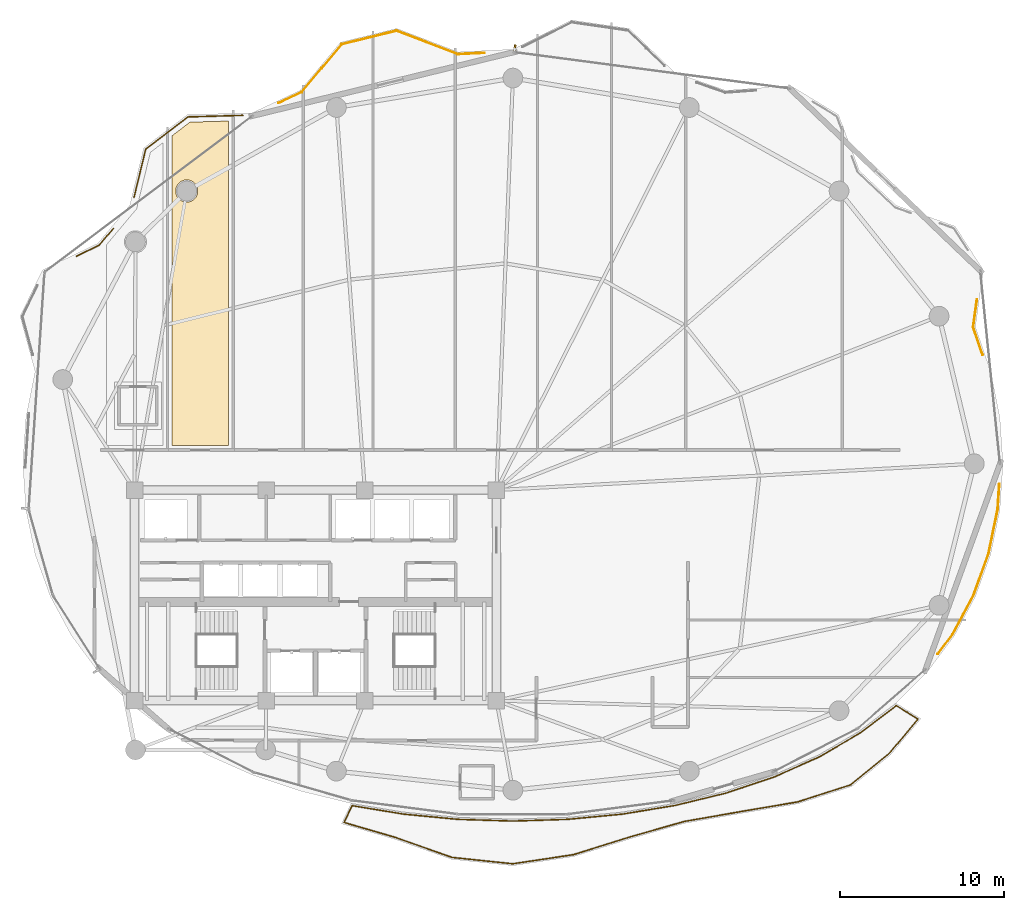
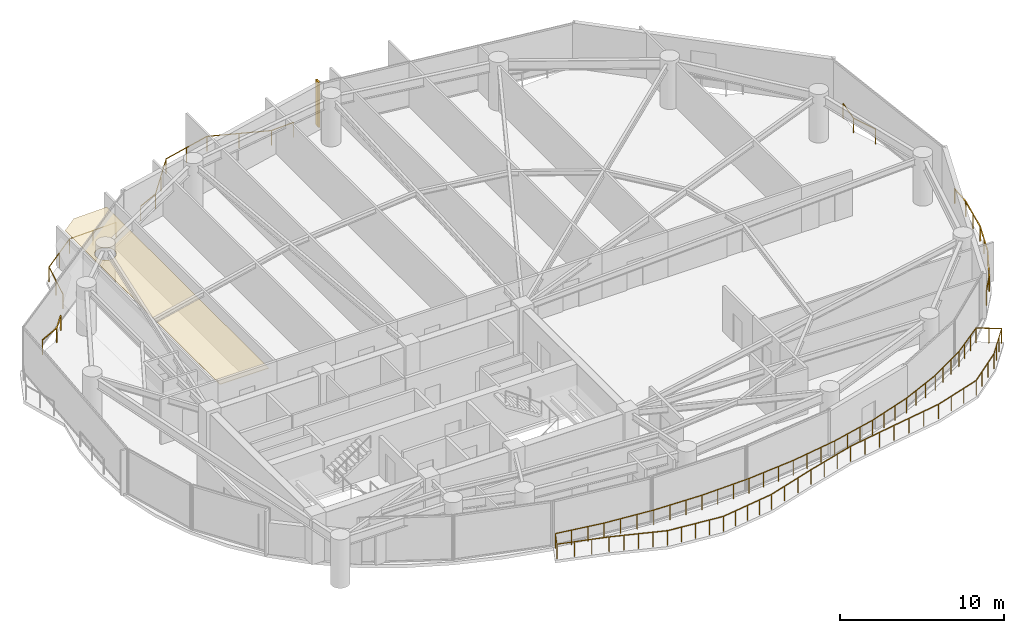
# One storey, part 29 of 30: 6 railings, 1 covering, 1 shading device.
"""IFC4 building model written with IfcOpenShell, lengths in metres."""

from ifc_helpers import new_model, si_unit, direction, frame, origin, origin_2d, place, context, subcontext, project, spatial, polyline, rectangle, outline, extrude, material, layer, layer_set, type_object, element, save


model = new_model("IFC4")

# Units and contexts
model_context = context("Model", 3, precision=1e-05, world=origin(), true_north=direction((0.0, 1.0)))
body_context = subcontext(model_context, "Body", "Model", "MODEL_VIEW")
ifc_project = project(units=[si_unit("LENGTHUNIT", "METRE"), si_unit("AREAUNIT", "SQUARE_METRE"), si_unit("VOLUMEUNIT", "CUBIC_METRE"), si_unit("PLANEANGLEUNIT", "RADIAN"), si_unit("MASSUNIT", "GRAM", prefix="KILO")], contexts=[model_context])

# Site, building, storey
site_placement = place(None, origin())
site = spatial("IfcSite", under=ifc_project, at=site_placement, CompositionType="ELEMENT")
building_placement = place(site_placement, origin())
building = spatial("IfcBuilding", under=site, at=building_placement, Name="Kazevale Care Tower and Concert Hall", CompositionType="ELEMENT")
storey_placement = place(building_placement, frame((0.0, 0.0, 113.39990234375)))
storey = spatial("IfcBuildingStorey", under=building, at=storey_placement, Name="L29", CompositionType="ELEMENT", Elevation=113.39990234375)

# Covering
ifc_material_1 = material(Name="Acoustic Plaster and Hinoki Wood", Category="wood")
ifc_layer = layer(ifc_material_1, 0.0400390625)
ifc_layer_set = layer_set([ifc_layer], Name="Acoustic Plaster and Hinoki Wood")
covering_type = type_object("IfcCoveringType", Name="Acoustic Perforated Wood-Gypsum Ceiling", PredefinedType="CEILING", material=ifc_layer_set)
covering_placement = place(storey_placement, frame((0.0, 0.0, 2.710205078125)))
element("IfcCovering", 1, at=covering_placement, inside=storey, type_object=covering_type, Name="clg:L29:2", PredefinedType="CEILING", context=body_context, shape_type="SweptSolid", body=[
    extrude(outline(polyline([(24.280029296875, 39.10498046875), (24.280029296875, 57.94091796875), (25.365966796875, 58.77099609375), (27.719970703125, 58.8369140625), (27.719970703125, 39.10498046875), (24.280029296875, 39.10498046875)]), holes=[polyline([(25.8369140625, 54.712890625), (25.735107421875, 54.9580078125), (25.548095703125, 55.14501953125), (25.302978515625, 55.2470703125), (25.037109375, 55.2470703125), (24.7919921875, 55.14501953125), (24.60498046875, 54.9580078125), (24.5029296875, 54.712890625), (24.5029296875, 54.447021484375), (24.60498046875, 54.201904296875), (24.7919921875, 54.014892578125), (25.037109375, 53.9130859375), (25.302978515625, 53.9130859375), (25.548095703125, 54.014892578125), (25.735107421875, 54.201904296875), (25.8369140625, 54.447021484375), (25.8369140625, 54.712890625)])]), origin(), (0.0, 0.0, 1.0), 0.039794921875),
])

# Railings
ifc_material_2 = material(Name="Anodised Bronze Aluminium and Laminated Glass", Category="aluminium")
railing_type = type_object("IfcRailingType", Name="Balcony and Terrace Balustrade 1120", PredefinedType="BALUSTRADE", material=ifc_material_2)
railing_1_placement = place(storey_placement, frame((18.4599609375, 50.62109375, 0.0)))
element("IfcRailing", 2, at=railing_1_placement, inside=storey, type_object=railing_type, Name="rail:L29:perim:3", PredefinedType="BALUSTRADE", context=body_context, shape_type="SweptSolid", body=[
    extrude(rectangle(XDim=0.048095703125, YDim=0.048095703125, at=origin_2d()), frame((0.0, 0.0, 1.09619140625), z_axis=(0.900823701656, 0.434185051026, 0.0), x_axis=(-0.434185051026, 0.900823701656, 0.0)), (0.0, 0.0, 1.0), 1.5498046875),
    extrude(rectangle(XDim=0.048095703125, YDim=0.048095703125, at=origin_2d()), frame((1.39599609375, 0.6728515625, 1.09619140625), z_axis=(0.642605296256, 0.766197385289, 0.0), x_axis=(-0.766197385289, 0.642605296256, 0.0)), (0.0, 0.0, 1.0), 1.327392578125),
    extrude(rectangle(XDim=0.0419921875, YDim=0.0419921875, at=origin_2d()), origin(), (0.0, 0.0, 1.0), 1.072021484375),
    extrude(rectangle(XDim=0.0419921875, YDim=0.0419921875, at=origin_2d()), frame((1.39599609375, 0.6728515625, 0.0)), (0.0, 0.0, 1.0), 1.072021484375),
    extrude(rectangle(XDim=0.0419921875, YDim=0.0419921875, at=origin_2d()), frame((2.2490234375, 1.68994140625, 0.0)), (0.0, 0.0, 1.0), 1.072021484375),
])
railing_2_placement = place(storey_placement, frame((21.966064453125, 54.2060546875, 0.0)))
element("IfcRailing", 3, at=railing_2_placement, inside=storey, type_object=railing_type, Name="rail:L29:perim:4", PredefinedType="BALUSTRADE", context=body_context, shape_type="SweptSolid", body=[
    extrude(rectangle(XDim=0.048095703125, YDim=0.048095703125, at=origin_2d()), frame((0.0, 0.0, 1.09619140625), z_axis=(0.236337022334, 0.971671143893, 0.0), x_axis=(-0.971671143893, 0.236337022334, 0.0)), (0.0, 0.0, 1.0), 2.995849609375),
    extrude(rectangle(XDim=0.048095703125, YDim=0.048095703125, at=origin_2d()), frame((0.7080078125, 2.910888671875, 1.09619140625), z_axis=(0.794524333095, 0.607232314785, 0.0), x_axis=(-0.607232314785, 0.794524333095, 0.0)), (0.0, 0.0, 1.0), 3.245849609375),
    extrude(rectangle(XDim=0.048095703125, YDim=0.048095703125, at=origin_2d()), frame((3.286865234375, 4.8818359375, 1.09619140625), z_axis=(0.999602588936, 0.028189788803, 0.0), x_axis=(-0.028189788803, 0.999602588936, 0.0)), (0.0, 0.0, 1.0), 3.334228515625),
    extrude(rectangle(XDim=0.0419921875, YDim=0.0419921875, at=origin_2d()), origin(), (0.0, 0.0, 1.0), 1.072021484375),
    extrude(rectangle(XDim=0.0419921875, YDim=0.0419921875, at=origin_2d()), frame((0.35400390625, 1.45556640625, 0.0)), (0.0, 0.0, 1.0), 1.072021484375),
    extrude(rectangle(XDim=0.0419921875, YDim=0.0419921875, at=origin_2d()), frame((0.7080078125, 2.910888671875, 0.0)), (0.0, 0.0, 1.0), 1.072021484375),
    extrude(rectangle(XDim=0.0419921875, YDim=0.0419921875, at=origin_2d()), frame((1.99755859375, 3.896484375, 0.0)), (0.0, 0.0, 1.0), 1.072021484375),
    extrude(rectangle(XDim=0.0419921875, YDim=0.0419921875, at=origin_2d()), frame((3.286865234375, 4.8818359375, 0.0)), (0.0, 0.0, 1.0), 1.072021484375),
    extrude(rectangle(XDim=0.0419921875, YDim=0.0419921875, at=origin_2d()), frame((4.953369140625, 4.9287109375, 0.0)), (0.0, 0.0, 1.0), 1.072021484375),
    extrude(rectangle(XDim=0.0419921875, YDim=0.0419921875, at=origin_2d()), frame((6.619873046875, 4.975830078125, 0.0)), (0.0, 0.0, 1.0), 1.072021484375),
])
railing_3_placement = place(storey_placement, frame((30.740966796875, 59.927978515625, 0.0)))
element("IfcRailing", 4, at=railing_3_placement, inside=storey, type_object=railing_type, Name="rail:L29:perim:5", PredefinedType="BALUSTRADE", context=body_context, shape_type="SweptSolid", body=[
    extrude(rectangle(XDim=0.048095703125, YDim=0.048095703125, at=origin_2d()), frame((0.0, 0.0, 1.09619140625), z_axis=(0.905736116012, 0.423842055667, 0.0), x_axis=(-0.423842055667, 0.905736116012, 0.0)), (0.0, 0.0, 1.0), 1.564453125),
    extrude(rectangle(XDim=0.048095703125, YDim=0.048095703125, at=origin_2d()), frame((1.4169921875, 0.6630859375, 1.09619140625), z_axis=(0.641607523243, 0.767033106272, 0.0), x_axis=(-0.767033106272, 0.641607523243, 0.0)), (0.0, 0.0, 1.0), 3.793701171875),
    extrude(rectangle(XDim=0.048095703125, YDim=0.048095703125, at=origin_2d()), frame((3.85107421875, 3.572998046875, 1.09619140625), z_axis=(0.970923670016, 0.239389279214, 0.0), x_axis=(-0.239389279214, 0.970923670016, 0.0)), (0.0, 0.0, 1.0), 3.433837890625),
    extrude(rectangle(XDim=0.048095703125, YDim=0.048095703125, at=origin_2d()), frame((7.18505859375, 4.39501953125, 1.09619140625), z_axis=(0.933831892262, -0.357712170598, 0.0), x_axis=(0.357712170598, 0.933831892262, 0.0)), (0.0, 0.0, 1.0), 3.978271484375),
    extrude(rectangle(XDim=0.048095703125, YDim=0.048095703125, at=origin_2d()), frame((10.900146484375, 2.971923828125, 1.09619140625), z_axis=(0.998862326121, 0.04768703657, 0.0), x_axis=(-0.04768703657, 0.998862326121, 0.0)), (0.0, 0.0, 1.0), 1.617919921875),
    extrude(rectangle(XDim=0.0419921875, YDim=0.0419921875, at=origin_2d()), origin(), (0.0, 0.0, 1.0), 1.072021484375),
    extrude(rectangle(XDim=0.0419921875, YDim=0.0419921875, at=origin_2d()), frame((1.4169921875, 0.6630859375, 0.0)), (0.0, 0.0, 1.0), 1.072021484375),
    extrude(rectangle(XDim=0.0419921875, YDim=0.0419921875, at=origin_2d()), frame((2.634033203125, 2.1181640625, 0.0)), (0.0, 0.0, 1.0), 1.072021484375),
    extrude(rectangle(XDim=0.0419921875, YDim=0.0419921875, at=origin_2d()), frame((3.85107421875, 3.572998046875, 0.0)), (0.0, 0.0, 1.0), 1.072021484375),
    extrude(rectangle(XDim=0.0419921875, YDim=0.0419921875, at=origin_2d()), frame((5.51806640625, 3.98388671875, 0.0)), (0.0, 0.0, 1.0), 1.072021484375),
    extrude(rectangle(XDim=0.0419921875, YDim=0.0419921875, at=origin_2d()), frame((7.18505859375, 4.39501953125, 0.0)), (0.0, 0.0, 1.0), 1.072021484375),
    extrude(rectangle(XDim=0.0419921875, YDim=0.0419921875, at=origin_2d()), frame((9.04248046875, 3.68359375, 0.0)), (0.0, 0.0, 1.0), 1.072021484375),
    extrude(rectangle(XDim=0.0419921875, YDim=0.0419921875, at=origin_2d()), frame((10.900146484375, 2.971923828125, 0.0)), (0.0, 0.0, 1.0), 1.072021484375),
    extrude(rectangle(XDim=0.0419921875, YDim=0.0419921875, at=origin_2d()), frame((12.51611328125, 3.049072265625, 0.0)), (0.0, 0.0, 1.0), 1.072021484375),
])
railing_4_placement = place(storey_placement, frame((74.576904296875, 36.76611328125, 0.0)))
element("IfcRailing", 5, at=railing_4_placement, inside=storey, type_object=railing_type, Name="rail:L29:perim:10", PredefinedType="BALUSTRADE", context=body_context, shape_type="SweptSolid", body=[
    extrude(rectangle(XDim=0.048095703125, YDim=0.048095703125, at=origin_2d()), frame((0.0, 0.0, 1.09619140625), z_axis=(-0.066164353261, -0.997808738365, 0.0), x_axis=(0.997808738365, -0.066164353261, 0.0)), (0.0, 0.0, 1.0), 1.553466796875),
    extrude(rectangle(XDim=0.048095703125, YDim=0.048095703125, at=origin_2d()), frame((-0.102783203125, -1.550048828125, 1.09619140625), z_axis=(-0.202611486218, -0.979259202485, 0.0), x_axis=(0.979259202485, -0.202611486218, 0.0)), (0.0, 0.0, 1.0), 2.744873046875),
    extrude(rectangle(XDim=0.048095703125, YDim=0.048095703125, at=origin_2d()), frame((-0.658935546875, -4.238037109375, 1.09619140625), z_axis=(-0.339653342944, -0.940550693279, 0.0), x_axis=(0.940550693279, -0.339653342944, 0.0)), (0.0, 0.0, 1.0), 2.70263671875),
    extrude(rectangle(XDim=0.048095703125, YDim=0.048095703125, at=origin_2d()), frame((-1.576904296875, -6.780029296875, 1.09619140625), z_axis=(-0.473735648305, -0.880667096879, 0.0), x_axis=(0.880667096879, -0.473735648305, 0.0)), (0.0, 0.0, 1.0), 2.6787109375),
    extrude(rectangle(XDim=0.048095703125, YDim=0.048095703125, at=origin_2d()), frame((-2.845947265625, -9.13916015625, 1.09619140625), z_axis=(-0.597990687273, -0.801503049236, 0.0), x_axis=(0.801503049236, -0.597990687273, 0.0)), (0.0, 0.0, 1.0), 1.498291015625),
    extrude(rectangle(XDim=0.0419921875, YDim=0.0419921875, at=origin_2d()), origin(), (0.0, 0.0, 1.0), 1.072021484375),
    extrude(rectangle(XDim=0.0419921875, YDim=0.0419921875, at=origin_2d()), frame((-0.102783203125, -1.550048828125, 0.0)), (0.0, 0.0, 1.0), 1.072021484375),
    extrude(rectangle(XDim=0.0419921875, YDim=0.0419921875, at=origin_2d()), frame((-0.380859375, -2.89404296875, 0.0)), (0.0, 0.0, 1.0), 1.072021484375),
    extrude(rectangle(XDim=0.0419921875, YDim=0.0419921875, at=origin_2d()), frame((-0.658935546875, -4.238037109375, 0.0)), (0.0, 0.0, 1.0), 1.072021484375),
    extrude(rectangle(XDim=0.0419921875, YDim=0.0419921875, at=origin_2d()), frame((-1.117919921875, -5.509033203125, 0.0)), (0.0, 0.0, 1.0), 1.072021484375),
    extrude(rectangle(XDim=0.0419921875, YDim=0.0419921875, at=origin_2d()), frame((-1.576904296875, -6.780029296875, 0.0)), (0.0, 0.0, 1.0), 1.072021484375),
    extrude(rectangle(XDim=0.0419921875, YDim=0.0419921875, at=origin_2d()), frame((-2.21142578125, -7.95947265625, 0.0)), (0.0, 0.0, 1.0), 1.072021484375),
    extrude(rectangle(XDim=0.0419921875, YDim=0.0419921875, at=origin_2d()), frame((-2.845947265625, -9.13916015625, 0.0)), (0.0, 0.0, 1.0), 1.072021484375),
    extrude(rectangle(XDim=0.0419921875, YDim=0.0419921875, at=origin_2d()), frame((-3.741943359375, -10.340087890625, 0.0)), (0.0, 0.0, 1.0), 1.072021484375),
])
railing_5_placement = place(storey_placement, frame((73.216064453125, 47.98193359375, 0.0)))
element("IfcRailing", 6, at=railing_5_placement, inside=storey, type_object=railing_type, Name="rail:L29:perim:12", PredefinedType="BALUSTRADE", context=body_context, shape_type="SweptSolid", body=[
    extrude(rectangle(XDim=0.048095703125, YDim=0.048095703125, at=origin_2d()), frame((0.0, 0.0, 1.09619140625), z_axis=(-0.137473823068, -0.990505400274, 0.0), x_axis=(0.990505400274, -0.137473823068, 0.0)), (0.0, 0.0, 1.0), 1.68896484375),
    extrude(rectangle(XDim=0.048095703125, YDim=0.048095703125, at=origin_2d()), frame((-0.232177734375, -1.6728515625, 1.09619140625), z_axis=(0.322868909969, -0.946443694562, 0.0), x_axis=(0.946443694562, 0.322868909969, 0.0)), (0.0, 0.0, 1.0), 1.784423828125),
    extrude(rectangle(XDim=0.0419921875, YDim=0.0419921875, at=origin_2d()), origin(), (0.0, 0.0, 1.0), 1.072021484375),
    extrude(rectangle(XDim=0.0419921875, YDim=0.0419921875, at=origin_2d()), frame((-0.232177734375, -1.6728515625, 0.0)), (0.0, 0.0, 1.0), 1.072021484375),
    extrude(rectangle(XDim=0.0419921875, YDim=0.0419921875, at=origin_2d()), frame((0.343994140625, -3.36181640625, 0.0)), (0.0, 0.0, 1.0), 1.072021484375),
])
railing_6_placement = place(storey_placement, frame((35.22509765625, 17.2099609375, 0.0)))
element("IfcRailing", 7, at=railing_6_placement, inside=storey, type_object=railing_type, Name="rail:L29:balcony", PredefinedType="BALUSTRADE", context=body_context, shape_type="SweptSolid", body=[
    extrude(rectangle(XDim=0.048095703125, YDim=0.048095703125, at=origin_2d()), frame((0.0, 0.0, 1.09619140625), z_axis=(0.986720826515, -0.162425399869, 0.0), x_axis=(0.162425399869, 0.986720826515, 0.0)), (0.0, 0.0, 1.0), 3.169921875),
    extrude(rectangle(XDim=0.048095703125, YDim=0.048095703125, at=origin_2d()), frame((3.1279296875, -0.514892578125, 1.09619140625), z_axis=(0.995477928413, -0.09499312629, 0.0), x_axis=(0.09499312629, 0.995477928413, 0.0)), (0.0, 0.0, 1.0), 3.31787109375),
    extrude(rectangle(XDim=0.048095703125, YDim=0.048095703125, at=origin_2d()), frame((6.430908203125, -0.830078125, 1.09619140625), z_axis=(0.999507580629, -0.031378276971, 0.0), x_axis=(0.031378276971, 0.999507580629, 0.0)), (0.0, 0.0, 1.0), 3.345703125),
    extrude(rectangle(XDim=0.048095703125, YDim=0.048095703125, at=origin_2d()), frame((9.77490234375, -0.93505859375, 1.09619140625), z_axis=(0.999507580629, 0.031378276971, 0.0), x_axis=(-0.031378276971, 0.999507580629, 0.0)), (0.0, 0.0, 1.0), 3.345703125),
    extrude(rectangle(XDim=0.048095703125, YDim=0.048095703125, at=origin_2d()), frame((13.118896484375, -0.830078125, 1.09619140625), z_axis=(0.995477928413, 0.09499312629, 0.0), x_axis=(-0.09499312629, 0.995477928413, 0.0)), (0.0, 0.0, 1.0), 3.31787109375),
    extrude(rectangle(XDim=0.048095703125, YDim=0.048095703125, at=origin_2d()), frame((16.421875, -0.514892578125, 1.09619140625), z_axis=(0.986673526711, 0.162712481659, 0.0), x_axis=(-0.162712481659, 0.986673526711, 0.0)), (0.0, 0.0, 1.0), 3.263427734375),
    extrude(rectangle(XDim=0.048095703125, YDim=0.048095703125, at=origin_2d()), frame((19.641845703125, 0.01611328125, 1.09619140625), z_axis=(0.971769261323, 0.235933259095, 0.0), x_axis=(-0.235933259095, 0.971769261323, 0.0)), (0.0, 0.0, 1.0), 3.187255859375),
    extrude(rectangle(XDim=0.048095703125, YDim=0.048095703125, at=origin_2d()), frame((22.739013671875, 0.76806640625, 1.09619140625), z_axis=(0.948264523365, 0.317481328155, 0.0), x_axis=(-0.317481328155, 0.948264523365, 0.0)), (0.0, 0.0, 1.0), 3.095947265625),
    extrude(rectangle(XDim=0.048095703125, YDim=0.048095703125, at=origin_2d()), frame((25.6748046875, 1.7509765625, 1.09619140625), z_axis=(0.913377633239, 0.407113373766, 0.0), x_axis=(-0.407113373766, 0.913377633239, 0.0)), (0.0, 0.0, 1.0), 2.99658203125),
    extrude(rectangle(XDim=0.048095703125, YDim=0.048095703125, at=origin_2d()), frame((28.411865234375, 2.970947265625, 1.09619140625), z_axis=(0.863507127078, 0.504336635082, 0.0), x_axis=(-0.504336635082, 0.863507127078, 0.0)), (0.0, 0.0, 1.0), 2.901123046875),
    extrude(rectangle(XDim=0.048095703125, YDim=0.048095703125, at=origin_2d()), frame((30.9169921875, 4.43408203125, 1.09619140625), z_axis=(0.795030778338, 0.606569090455, 0.0), x_axis=(-0.606569090455, 0.795030778338, 0.0)), (0.0, 0.0, 1.0), 2.726806640625),
    extrude(rectangle(XDim=0.048095703125, YDim=0.048095703125, at=origin_2d()), frame((33.0849609375, 6.088134765625, 1.09619140625), z_axis=(0.848130363532, -0.529787586165, 0.0), x_axis=(0.529787586165, 0.848130363532, 0.0)), (0.0, 0.0, 1.0), 1.5576171875),
    extrude(rectangle(XDim=0.048095703125, YDim=0.048095703125, at=origin_2d()), frame((34.406005859375, 5.262939453125, 1.09619140625), z_axis=(-0.642228369572, -0.766513353646, 0.0), x_axis=(0.766513353646, -0.642228369572, 0.0)), (0.0, 0.0, 1.0), 2.734375),
    extrude(rectangle(XDim=0.048095703125, YDim=0.048095703125, at=origin_2d()), frame((32.64990234375, 3.1669921875, 1.09619140625), z_axis=(-0.776084238641, -0.630629252836, 0.0), x_axis=(0.630629252836, -0.776084238641, 0.0)), (0.0, 0.0, 1.0), 3.01123046875),
    extrude(rectangle(XDim=0.048095703125, YDim=0.048095703125, at=origin_2d()), frame((30.31298828125, 1.26806640625, 1.09619140625), z_axis=(-0.95206363721, -0.305900033838, 0.0), x_axis=(0.305900033838, -0.95206363721, 0.0)), (0.0, 0.0, 1.0), 3.403076171875),
    extrude(rectangle(XDim=0.048095703125, YDim=0.048095703125, at=origin_2d()), frame((27.072998046875, 0.22705078125, 1.09619140625), z_axis=(-0.985871767284, -0.167501816327, 0.0), x_axis=(0.167501816327, -0.985871767284, 0.0)), (0.0, 0.0, 1.0), 3.546142578125),
    extrude(rectangle(XDim=0.048095703125, YDim=0.048095703125, at=origin_2d()), frame((23.576904296875, -0.366943359375, 1.09619140625), z_axis=(-0.984987578026, -0.172625233193, 0.0), x_axis=(0.172625233193, -0.984987578026, 0.0)), (0.0, 0.0, 1.0), 3.4580078125),
    extrude(rectangle(XDim=0.048095703125, YDim=0.048095703125, at=origin_2d()), frame((20.1708984375, -0.9638671875, 1.09619140625), z_axis=(-0.961510484252, -0.274768245388, 0.0), x_axis=(0.274768245388, -0.961510484252, 0.0)), (0.0, 0.0, 1.0), 3.421630859375),
    extrude(rectangle(XDim=0.048095703125, YDim=0.048095703125, at=origin_2d()), frame((16.880859375, -1.904052734375, 1.09619140625), z_axis=(-0.954292235378, -0.298875106854, 0.0), x_axis=(0.298875106854, -0.954292235378, 0.0)), (0.0, 0.0, 1.0), 3.590087890625),
    extrude(rectangle(XDim=0.048095703125, YDim=0.048095703125, at=origin_2d()), frame((13.454833984375, -2.97705078125, 1.09619140625), z_axis=(-0.988837567574, -0.148997533384, 0.0), x_axis=(0.148997533384, -0.988837567574, 0.0)), (0.0, 0.0, 1.0), 3.724365234375),
    extrude(rectangle(XDim=0.048095703125, YDim=0.048095703125, at=origin_2d()), frame((9.77197265625, -3.531982421875, 1.09619140625), z_axis=(-0.9945602721, 0.104162686025, 0.0), x_axis=(-0.104162686025, -0.9945602721, 0.0)), (0.0, 0.0, 1.0), 3.724365234375),
    extrude(rectangle(XDim=0.048095703125, YDim=0.048095703125, at=origin_2d()), frame((6.06787109375, -3.14404296875, 1.09619140625), z_axis=(-0.942793158909, 0.33337825291, 0.0), x_axis=(-0.33337825291, -0.942793158909, 0.0)), (0.0, 0.0, 1.0), 3.61474609375),
    extrude(rectangle(XDim=0.048095703125, YDim=0.048095703125, at=origin_2d()), frame((2.659912109375, -1.93896484375, 1.09619140625), z_axis=(-0.959888127725, 0.280383277414, 0.0), x_axis=(-0.280383277414, -0.959888127725, 0.0)), (0.0, 0.0, 1.0), 3.27734375),
    extrude(rectangle(XDim=0.048095703125, YDim=0.048095703125, at=origin_2d()), frame((-0.486083984375, -1.02001953125, 1.09619140625), z_axis=(0.430193564376, 0.902736671001, 0.0), x_axis=(-0.902736671001, 0.430193564376, 0.0)), (0.0, 0.0, 1.0), 1.1298828125),
    extrude(rectangle(XDim=0.0419921875, YDim=0.0419921875, at=origin_2d()), origin(), (0.0, 0.0, 1.0), 1.072021484375),
    extrude(rectangle(XDim=0.0419921875, YDim=0.0419921875, at=origin_2d()), frame((1.042724609375, -0.171630859375, 0.0)), (0.0, 0.0, 1.0), 1.072021484375),
    extrude(rectangle(XDim=0.0419921875, YDim=0.0419921875, at=origin_2d()), frame((2.085205078125, -0.34326171875, 0.0)), (0.0, 0.0, 1.0), 1.072021484375),
    extrude(rectangle(XDim=0.0419921875, YDim=0.0419921875, at=origin_2d()), frame((3.1279296875, -0.514892578125, 0.0)), (0.0, 0.0, 1.0), 1.072021484375),
    extrude(rectangle(XDim=0.0419921875, YDim=0.0419921875, at=origin_2d()), frame((4.22900390625, -0.619873046875, 0.0)), (0.0, 0.0, 1.0), 1.072021484375),
    extrude(rectangle(XDim=0.0419921875, YDim=0.0419921875, at=origin_2d()), frame((5.329833984375, -0.72509765625, 0.0)), (0.0, 0.0, 1.0), 1.072021484375),
    extrude(rectangle(XDim=0.0419921875, YDim=0.0419921875, at=origin_2d()), frame((6.430908203125, -0.830078125, 0.0)), (0.0, 0.0, 1.0), 1.072021484375),
    extrude(rectangle(XDim=0.0419921875, YDim=0.0419921875, at=origin_2d()), frame((7.545654296875, -0.864990234375, 0.0)), (0.0, 0.0, 1.0), 1.072021484375),
    extrude(rectangle(XDim=0.0419921875, YDim=0.0419921875, at=origin_2d()), frame((8.66015625, -0.900146484375, 0.0)), (0.0, 0.0, 1.0), 1.072021484375),
    extrude(rectangle(XDim=0.0419921875, YDim=0.0419921875, at=origin_2d()), frame((9.77490234375, -0.93505859375, 0.0)), (0.0, 0.0, 1.0), 1.072021484375),
    extrude(rectangle(XDim=0.0419921875, YDim=0.0419921875, at=origin_2d()), frame((10.8896484375, -0.900146484375, 0.0)), (0.0, 0.0, 1.0), 1.072021484375),
    extrude(rectangle(XDim=0.0419921875, YDim=0.0419921875, at=origin_2d()), frame((12.004150390625, -0.864990234375, 0.0)), (0.0, 0.0, 1.0), 1.072021484375),
    extrude(rectangle(XDim=0.0419921875, YDim=0.0419921875, at=origin_2d()), frame((13.118896484375, -0.830078125, 0.0)), (0.0, 0.0, 1.0), 1.072021484375),
    extrude(rectangle(XDim=0.0419921875, YDim=0.0419921875, at=origin_2d()), frame((14.219970703125, -0.72509765625, 0.0)), (0.0, 0.0, 1.0), 1.072021484375),
    extrude(rectangle(XDim=0.0419921875, YDim=0.0419921875, at=origin_2d()), frame((15.32080078125, -0.619873046875, 0.0)), (0.0, 0.0, 1.0), 1.072021484375),
    extrude(rectangle(XDim=0.0419921875, YDim=0.0419921875, at=origin_2d()), frame((16.421875, -0.514892578125, 0.0)), (0.0, 0.0, 1.0), 1.072021484375),
    extrude(rectangle(XDim=0.0419921875, YDim=0.0419921875, at=origin_2d()), frame((17.4951171875, -0.337890625, 0.0)), (0.0, 0.0, 1.0), 1.072021484375),
    extrude(rectangle(XDim=0.0419921875, YDim=0.0419921875, at=origin_2d()), frame((18.568603515625, -0.160888671875, 0.0)), (0.0, 0.0, 1.0), 1.072021484375),
    extrude(rectangle(XDim=0.0419921875, YDim=0.0419921875, at=origin_2d()), frame((19.641845703125, 0.01611328125, 0.0)), (0.0, 0.0, 1.0), 1.072021484375),
    extrude(rectangle(XDim=0.0419921875, YDim=0.0419921875, at=origin_2d()), frame((20.67431640625, 0.266845703125, 0.0)), (0.0, 0.0, 1.0), 1.072021484375),
    extrude(rectangle(XDim=0.0419921875, YDim=0.0419921875, at=origin_2d()), frame((21.70654296875, 0.517333984375, 0.0)), (0.0, 0.0, 1.0), 1.072021484375),
    extrude(rectangle(XDim=0.0419921875, YDim=0.0419921875, at=origin_2d()), frame((22.739013671875, 0.76806640625, 0.0)), (0.0, 0.0, 1.0), 1.072021484375),
    extrude(rectangle(XDim=0.0419921875, YDim=0.0419921875, at=origin_2d()), frame((23.717529296875, 1.095703125, 0.0)), (0.0, 0.0, 1.0), 1.072021484375),
    extrude(rectangle(XDim=0.0419921875, YDim=0.0419921875, at=origin_2d()), frame((24.6962890625, 1.42333984375, 0.0)), (0.0, 0.0, 1.0), 1.072021484375),
    extrude(rectangle(XDim=0.0419921875, YDim=0.0419921875, at=origin_2d()), frame((25.6748046875, 1.7509765625, 0.0)), (0.0, 0.0, 1.0), 1.072021484375),
    extrude(rectangle(XDim=0.0419921875, YDim=0.0419921875, at=origin_2d()), frame((26.587158203125, 2.15771484375, 0.0)), (0.0, 0.0, 1.0), 1.072021484375),
    extrude(rectangle(XDim=0.0419921875, YDim=0.0419921875, at=origin_2d()), frame((27.49951171875, 2.564208984375, 0.0)), (0.0, 0.0, 1.0), 1.072021484375),
    extrude(rectangle(XDim=0.0419921875, YDim=0.0419921875, at=origin_2d()), frame((28.411865234375, 2.970947265625, 0.0)), (0.0, 0.0, 1.0), 1.072021484375),
    extrude(rectangle(XDim=0.0419921875, YDim=0.0419921875, at=origin_2d()), frame((29.246826171875, 3.458740234375, 0.0)), (0.0, 0.0, 1.0), 1.072021484375),
    extrude(rectangle(XDim=0.0419921875, YDim=0.0419921875, at=origin_2d()), frame((30.08203125, 3.9462890625, 0.0)), (0.0, 0.0, 1.0), 1.072021484375),
    extrude(rectangle(XDim=0.0419921875, YDim=0.0419921875, at=origin_2d()), frame((30.9169921875, 4.43408203125, 0.0)), (0.0, 0.0, 1.0), 1.072021484375),
    extrude(rectangle(XDim=0.0419921875, YDim=0.0419921875, at=origin_2d()), frame((31.6396484375, 4.9853515625, 0.0)), (0.0, 0.0, 1.0), 1.072021484375),
    extrude(rectangle(XDim=0.0419921875, YDim=0.0419921875, at=origin_2d()), frame((32.3623046875, 5.536865234375, 0.0)), (0.0, 0.0, 1.0), 1.072021484375),
    extrude(rectangle(XDim=0.0419921875, YDim=0.0419921875, at=origin_2d()), frame((33.0849609375, 6.088134765625, 0.0)), (0.0, 0.0, 1.0), 1.072021484375),
    extrude(rectangle(XDim=0.0419921875, YDim=0.0419921875, at=origin_2d()), frame((33.74560546875, 5.675537109375, 0.0)), (0.0, 0.0, 1.0), 1.072021484375),
    extrude(rectangle(XDim=0.0419921875, YDim=0.0419921875, at=origin_2d()), frame((34.406005859375, 5.262939453125, 0.0)), (0.0, 0.0, 1.0), 1.072021484375),
    extrude(rectangle(XDim=0.0419921875, YDim=0.0419921875, at=origin_2d()), frame((33.820556640625, 4.564208984375, 0.0)), (0.0, 0.0, 1.0), 1.072021484375),
    extrude(rectangle(XDim=0.0419921875, YDim=0.0419921875, at=origin_2d()), frame((33.2353515625, 3.86572265625, 0.0)), (0.0, 0.0, 1.0), 1.072021484375),
    extrude(rectangle(XDim=0.0419921875, YDim=0.0419921875, at=origin_2d()), frame((32.64990234375, 3.1669921875, 0.0)), (0.0, 0.0, 1.0), 1.072021484375),
    extrude(rectangle(XDim=0.0419921875, YDim=0.0419921875, at=origin_2d()), frame((31.870849609375, 2.533935546875, 0.0)), (0.0, 0.0, 1.0), 1.072021484375),
    extrude(rectangle(XDim=0.0419921875, YDim=0.0419921875, at=origin_2d()), frame((31.092041015625, 1.901123046875, 0.0)), (0.0, 0.0, 1.0), 1.072021484375),
    extrude(rectangle(XDim=0.0419921875, YDim=0.0419921875, at=origin_2d()), frame((30.31298828125, 1.26806640625, 0.0)), (0.0, 0.0, 1.0), 1.072021484375),
    extrude(rectangle(XDim=0.0419921875, YDim=0.0419921875, at=origin_2d()), frame((29.23291015625, 0.921142578125, 0.0)), (0.0, 0.0, 1.0), 1.072021484375),
    extrude(rectangle(XDim=0.0419921875, YDim=0.0419921875, at=origin_2d()), frame((28.153076171875, 0.573974609375, 0.0)), (0.0, 0.0, 1.0), 1.072021484375),
    extrude(rectangle(XDim=0.0419921875, YDim=0.0419921875, at=origin_2d()), frame((27.072998046875, 0.22705078125, 0.0)), (0.0, 0.0, 1.0), 1.072021484375),
    extrude(rectangle(XDim=0.0419921875, YDim=0.0419921875, at=origin_2d()), frame((25.90771484375, 0.029052734375, 0.0)), (0.0, 0.0, 1.0), 1.072021484375),
    extrude(rectangle(XDim=0.0419921875, YDim=0.0419921875, at=origin_2d()), frame((24.7421875, -0.1689453125, 0.0)), (0.0, 0.0, 1.0), 1.072021484375),
    extrude(rectangle(XDim=0.0419921875, YDim=0.0419921875, at=origin_2d()), frame((23.576904296875, -0.366943359375, 0.0)), (0.0, 0.0, 1.0), 1.072021484375),
    extrude(rectangle(XDim=0.0419921875, YDim=0.0419921875, at=origin_2d()), frame((22.441650390625, -0.56591796875, 0.0)), (0.0, 0.0, 1.0), 1.072021484375),
    extrude(rectangle(XDim=0.0419921875, YDim=0.0419921875, at=origin_2d()), frame((21.30615234375, -0.764892578125, 0.0)), (0.0, 0.0, 1.0), 1.072021484375),
    extrude(rectangle(XDim=0.0419921875, YDim=0.0419921875, at=origin_2d()), frame((20.1708984375, -0.9638671875, 0.0)), (0.0, 0.0, 1.0), 1.072021484375),
    extrude(rectangle(XDim=0.0419921875, YDim=0.0419921875, at=origin_2d()), frame((19.07421875, -1.27734375, 0.0)), (0.0, 0.0, 1.0), 1.072021484375),
    extrude(rectangle(XDim=0.0419921875, YDim=0.0419921875, at=origin_2d()), frame((17.9775390625, -1.590576171875, 0.0)), (0.0, 0.0, 1.0), 1.072021484375),
    extrude(rectangle(XDim=0.0419921875, YDim=0.0419921875, at=origin_2d()), frame((16.880859375, -1.904052734375, 0.0)), (0.0, 0.0, 1.0), 1.072021484375),
    extrude(rectangle(XDim=0.0419921875, YDim=0.0419921875, at=origin_2d()), frame((15.73876953125, -2.26171875, 0.0)), (0.0, 0.0, 1.0), 1.072021484375),
    extrude(rectangle(XDim=0.0419921875, YDim=0.0419921875, at=origin_2d()), frame((14.596923828125, -2.619384765625, 0.0)), (0.0, 0.0, 1.0), 1.072021484375),
    extrude(rectangle(XDim=0.0419921875, YDim=0.0419921875, at=origin_2d()), frame((13.454833984375, -2.97705078125, 0.0)), (0.0, 0.0, 1.0), 1.072021484375),
    extrude(rectangle(XDim=0.0419921875, YDim=0.0419921875, at=origin_2d()), frame((12.5341796875, -3.11572265625, 0.0)), (0.0, 0.0, 1.0), 1.072021484375),
    extrude(rectangle(XDim=0.0419921875, YDim=0.0419921875, at=origin_2d()), frame((11.61328125, -3.25439453125, 0.0)), (0.0, 0.0, 1.0), 1.072021484375),
    extrude(rectangle(XDim=0.0419921875, YDim=0.0419921875, at=origin_2d()), frame((10.692626953125, -3.393310546875, 0.0)), (0.0, 0.0, 1.0), 1.072021484375),
    extrude(rectangle(XDim=0.0419921875, YDim=0.0419921875, at=origin_2d()), frame((9.77197265625, -3.531982421875, 0.0)), (0.0, 0.0, 1.0), 1.072021484375),
    extrude(rectangle(XDim=0.0419921875, YDim=0.0419921875, at=origin_2d()), frame((8.845947265625, -3.43505859375, 0.0)), (0.0, 0.0, 1.0), 1.072021484375),
    extrude(rectangle(XDim=0.0419921875, YDim=0.0419921875, at=origin_2d()), frame((7.919921875, -3.337890625, 0.0)), (0.0, 0.0, 1.0), 1.072021484375),
    extrude(rectangle(XDim=0.0419921875, YDim=0.0419921875, at=origin_2d()), frame((6.993896484375, -3.240966796875, 0.0)), (0.0, 0.0, 1.0), 1.072021484375),
    extrude(rectangle(XDim=0.0419921875, YDim=0.0419921875, at=origin_2d()), frame((6.06787109375, -3.14404296875, 0.0)), (0.0, 0.0, 1.0), 1.072021484375),
    extrude(rectangle(XDim=0.0419921875, YDim=0.0419921875, at=origin_2d()), frame((5.2158203125, -2.8427734375, 0.0)), (0.0, 0.0, 1.0), 1.072021484375),
    extrude(rectangle(XDim=0.0419921875, YDim=0.0419921875, at=origin_2d()), frame((4.36376953125, -2.54150390625, 0.0)), (0.0, 0.0, 1.0), 1.072021484375),
    extrude(rectangle(XDim=0.0419921875, YDim=0.0419921875, at=origin_2d()), frame((3.511962890625, -2.240234375, 0.0)), (0.0, 0.0, 1.0), 1.072021484375),
    extrude(rectangle(XDim=0.0419921875, YDim=0.0419921875, at=origin_2d()), frame((2.659912109375, -1.93896484375, 0.0)), (0.0, 0.0, 1.0), 1.072021484375),
    extrude(rectangle(XDim=0.0419921875, YDim=0.0419921875, at=origin_2d()), frame((1.611328125, -1.632568359375, 0.0)), (0.0, 0.0, 1.0), 1.072021484375),
    extrude(rectangle(XDim=0.0419921875, YDim=0.0419921875, at=origin_2d()), frame((0.5625, -1.326416015625, 0.0)), (0.0, 0.0, 1.0), 1.072021484375),
    extrude(rectangle(XDim=0.0419921875, YDim=0.0419921875, at=origin_2d()), frame((-0.486083984375, -1.02001953125, 0.0)), (0.0, 0.0, 1.0), 1.072021484375),
])

# Shading device
ifc_material_3 = material(Name="Honed Ochre Limestone", Category="masonry")
shading_device_type = type_object("IfcShadingDeviceType", Name="Vertical Honed Limestone Fin FIN-01", PredefinedType="USERDEFINED", material=ifc_material_3)
shading_device_placement = place(storey_placement, frame((45.118408203125, 63.27587890625, 0.0), z_axis=(0.0, 0.0, 1.0), x_axis=(0.130872263805, 0.991399238736, 0.0)))
element("IfcShadingDevice", 8, at=shading_device_placement, inside=storey, type_object=shading_device_type, Name="cw:L29:f16:fin", ObjectType="FIN", PredefinedType="USERDEFINED", context=body_context, shape_type="SweptSolid", body=[
    extrude(rectangle(XDim=0.3798828125, YDim=0.1201171875, at=origin_2d()), origin(), (0.0, 0.0, 1.0), 3.360107421875),
])

save(model, "model.ifc")
